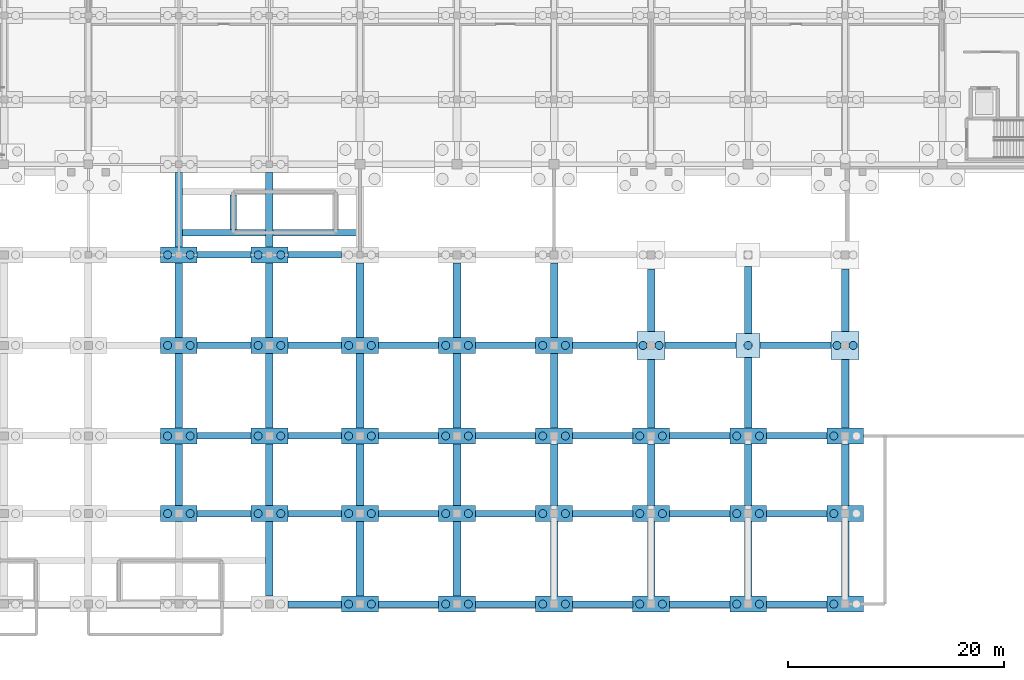
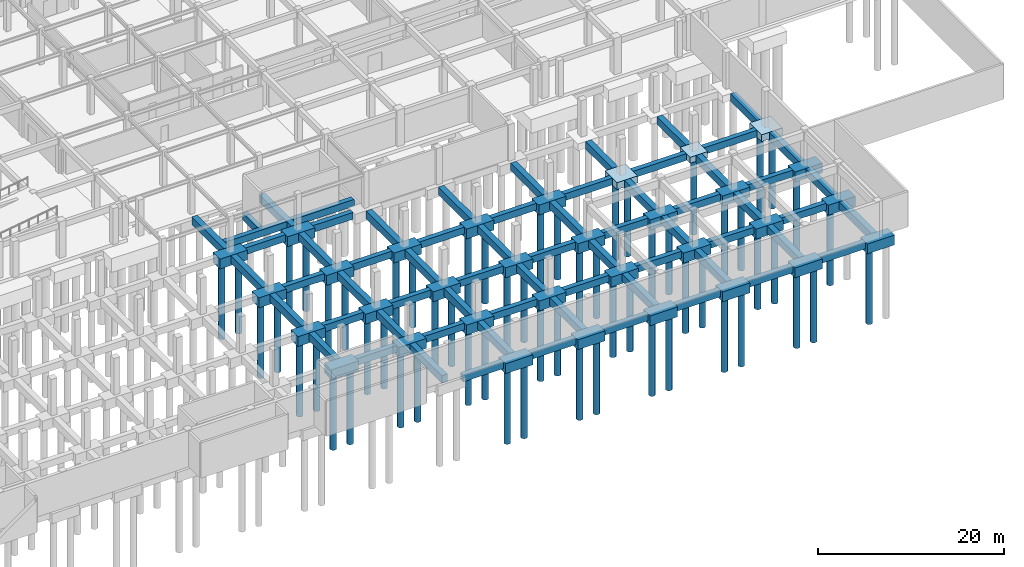
# One storey, part 3 of 26: 97 footings, 60 piles.
"""IFC4 building model written with IfcOpenShell, lengths in metres."""

import ifcopenshell
import ifcopenshell.guid

model = None  # the IFC model being written
_history = None  # IfcOwnerHistory: only IFC2X3 demands one
_inside = {}  # id of a spatial element -> (the spatial element, [elements in it])
_under = {}  # id of a project, library or spatial element -> (it, [spatial elements below it])
_declared = {}  # id of a project -> (the project, [libraries it declares])
_typed = {}  # id of a type object -> (the type object, [elements of that type])
_made_of = {}  # id of a material, layer set ... -> (it, [elements and type objects made of it])


def new_model(schema):
    """Start an empty IFC model of exactly this schema.

    Asked for "IFC4X3", IfcOpenShell would pick the latest addendum, in which some entities
    have other attributes; the version numbers below select the first issue.
    IFC2X3 requires an IfcOwnerHistory on every rooted entity: one is made here for all.
    """
    global model, _history
    if schema == "IFC4X3":
        model = ifcopenshell.file(schema_version=(4, 3, 0, 0))
    else:
        model = ifcopenshell.file(schema=schema)
    _inside.clear()
    _under.clear()
    _declared.clear()
    _typed.clear()
    _made_of.clear()
    _history = None
    if model.schema == "IFC2X3":
        org = make("IfcOrganization", Name="unknown")
        user = make(
            "IfcPersonAndOrganization",
            ThePerson=make("IfcPerson", FamilyName="unknown"),
            TheOrganization=org,
        )
        app = make(
            "IfcApplication",
            ApplicationDeveloper=org,
            Version="unknown",
            ApplicationFullName="unknown",
            ApplicationIdentifier="unknown",
        )
        _history = make(
            "IfcOwnerHistory",
            OwningUser=user,
            OwningApplication=app,
            ChangeAction="ADDED",
            CreationDate=0,
        )
    return model


def make(cls, **values):
    """One entity of the class cls with the attributes given. An attribute that is None is left unset."""
    return model.create_entity(
        cls, **{name: value for name, value in values.items() if value is not None}
    )


def rooted(cls, **values):
    """An entity with a GlobalId (a new one), such as an element, a storey or a relation."""
    return make(cls, GlobalId=ifcopenshell.guid.new(), OwnerHistory=_history, **values)


def si_unit(unit_type, name, prefix=None):
    """IfcSIUnit, for example si_unit("LENGTHUNIT", "METRE", prefix="MILLI")."""
    return make("IfcSIUnit", UnitType=unit_type, Prefix=prefix, Name=name)


def assignment(units):
    """IfcUnitAssignment: the units of a project."""
    return None if units is None else make("IfcUnitAssignment", Units=units)


def point(xyz):
    """IfcCartesianPoint."""
    return None if xyz is None else make("IfcCartesianPoint", Coordinates=xyz)


def direction(xyz):
    """IfcDirection."""
    return None if xyz is None else make("IfcDirection", DirectionRatios=xyz)


def frame(location, z_axis=None, x_axis=None):
    """IfcAxis2Placement3D, a coordinate frame: its origin and axes. An axis left out is left unset."""
    return make(
        "IfcAxis2Placement3D",
        Location=point(location),
        Axis=direction(z_axis),
        RefDirection=direction(x_axis),
    )


def frame_2d(location, x_axis=None):
    """IfcAxis2Placement2D, a coordinate frame in the plane: its origin and x axis."""
    return make(
        "IfcAxis2Placement2D", Location=point(location), RefDirection=direction(x_axis)
    )


def origin():
    """The frame at (0, 0, 0) with its axes left unset."""
    return frame((0.0, 0.0, 0.0))


def origin_2d():
    """The frame at (0, 0) in the plane with its x axis left unset."""
    return frame_2d((0.0, 0.0))


def place(relative_to, where):
    """IfcLocalPlacement: puts the frame where relative to a parent placement (None: the world)."""
    return make(
        "IfcLocalPlacement", PlacementRelTo=relative_to, RelativePlacement=where
    )


def context(
    kind, dimensions, precision=None, world=None, true_north=None, identifier=None
):
    """IfcGeometricRepresentationContext, for example the 3D "Model" context."""
    return make(
        "IfcGeometricRepresentationContext",
        ContextIdentifier=identifier,
        ContextType=kind,
        CoordinateSpaceDimension=dimensions,
        Precision=precision,
        WorldCoordinateSystem=world,
        TrueNorth=true_north,
    )


def subcontext(parent, identifier, kind, view, scale=None):
    """IfcGeometricRepresentationSubContext, for example "Body" below "Model"."""
    return make(
        "IfcGeometricRepresentationSubContext",
        ContextIdentifier=identifier,
        ContextType=kind,
        ParentContext=parent,
        TargetScale=scale,
        TargetView=view,
    )


def project(units=None, contexts=None):
    """IfcProject with its units and contexts."""
    return rooted(
        "IfcProject",
        Name="project",
        RepresentationContexts=contexts,
        UnitsInContext=assignment(units),
    )


def spatial(cls, under=None, at=None, **own):
    """A site, building, storey or space (cls), placed at a placement, below another one or the project."""
    s = rooted(cls, ObjectPlacement=at, **own)
    if under is not None:
        _under.setdefault(under.id(), (under, []))[1].append(s)
    return s


def profile(cls, at=None, kind="AREA", **sizes):
    """A parametric profile (cls). Its sizes go by their IFC names, for example OverallWidth=200.0."""
    return make(cls, ProfileType=kind, Position=at, **sizes)


def rectangle(**sizes):
    """IfcRectangleProfileDef."""
    return profile("IfcRectangleProfileDef", **sizes)


def circle(**sizes):
    """IfcCircleProfileDef."""
    return profile("IfcCircleProfileDef", **sizes)


def extrude(swept, where, along, depth):
    """IfcExtrudedAreaSolid: the profile swept, set in the frame where, extruded along a direction by depth."""
    return make(
        "IfcExtrudedAreaSolid",
        SweptArea=swept,
        Position=where,
        ExtrudedDirection=direction(along),
        Depth=depth,
    )


def shape(context_of_items, identifier, shape_type, items):
    """IfcShapeRepresentation: the items that make up one representation, for example the "Body"."""
    return make(
        "IfcShapeRepresentation",
        ContextOfItems=context_of_items,
        RepresentationIdentifier=identifier,
        RepresentationType=shape_type,
        Items=items,
    )


def material(Name=None, Category=None):
    """IfcMaterial."""
    return make("IfcMaterial", Name=Name, Category=Category)


def material_profile(
    of_material, cross_section, Name=None, Category=None, Priority=None
):
    """IfcMaterialProfile: a cross section and its material."""
    return make(
        "IfcMaterialProfile",
        Name=Name,
        Material=of_material,
        Profile=cross_section,
        Priority=Priority,
        Category=Category,
    )


def profile_set(profiles, Name=None, composite=None):
    """IfcMaterialProfileSet."""
    return make(
        "IfcMaterialProfileSet",
        Name=Name,
        MaterialProfiles=profiles,
        CompositeProfile=composite,
    )


def made_of(thing, what):
    """Note that an element or type object is made of a material, layer set ...; save() writes the relation."""
    if what is not None:
        _made_of.setdefault(what.id(), (what, []))[1].append(thing)
    return thing


def type_object(cls, material=None, **own):
    """A type object (cls), such as IfcWallType, which elements share."""
    return made_of(rooted(cls, **own), material)


def element(
    cls,
    number,
    at=None,
    inside=None,
    cuts=None,
    type_object=None,
    material=None,
    context=None,
    identifier="Body",
    shape_type=None,
    held_by="IfcProductDefinitionShape",
    body=None,
    shapes=None,
    **own,
):
    """One element of the class cls, such as IfcWall. Its Tag is "e" and its number.

    at: its placement. inside: the storey or other place that contains it. cuts: it is an
    opening in that element (IfcRelVoidsElement). A single representation is given by context,
    identifier, shape_type and body (its items); several are given by shapes. held_by: the class
    of the entity that holds the representations. save() writes the other relations.
    """
    e = rooted(cls, Tag="e%d" % number, ObjectPlacement=at, **own)
    if body is not None:
        shapes = [shape(context, identifier, shape_type, body)]
    if shapes is not None:
        e.Representation = make(held_by, Representations=shapes)
    if inside is not None:
        _inside.setdefault(inside.id(), (inside, []))[1].append(e)
    if cuts is not None:
        rooted(
            "IfcRelVoidsElement", RelatingBuildingElement=cuts, RelatedOpeningElement=e
        )
    if type_object is not None:
        _typed.setdefault(type_object.id(), (type_object, []))[1].append(e)
    return made_of(e, material)


def aggregate(whole, parts):
    """IfcRelAggregates: a whole, such as a stair, and the parts it consists of."""
    return rooted("IfcRelAggregates", RelatingObject=whole, RelatedObjects=parts)


def save(model, path):
    """Write the relations noted so far, then the file.

    IfcRelAggregates (storeys below a building ...), IfcRelContainedInSpatialStructure (elements
    in a storey), IfcRelDefinesByType, IfcRelAssociatesMaterial and IfcRelDeclares: one each for
    every whole, place, type object, material and project.
    """
    for whole, parts in _under.values():
        aggregate(whole, parts)
    for where, things in _inside.values():
        rooted(
            "IfcRelContainedInSpatialStructure",
            RelatedElements=things,
            RelatingStructure=where,
        )
    for kind, things in _typed.values():
        rooted("IfcRelDefinesByType", RelatedObjects=things, RelatingType=kind)
    for what, things in _made_of.values():
        rooted("IfcRelAssociatesMaterial", RelatedObjects=things, RelatingMaterial=what)
    for by, libraries in _declared.values():
        rooted("IfcRelDeclares", RelatingContext=by, RelatedDefinitions=libraries)
    model.write(path)


model = new_model("IFC4")

# Units and contexts
model_context = context("Model", 3, precision=1e-05, world=origin(), true_north=direction((0.0, 1.0)))
body_context = subcontext(model_context, "Body", "Model", "MODEL_VIEW")
ifc_project = project(units=[si_unit("LENGTHUNIT", "METRE"), si_unit("AREAUNIT", "SQUARE_METRE"), si_unit("VOLUMEUNIT", "CUBIC_METRE"), si_unit("PLANEANGLEUNIT", "RADIAN"), si_unit("MASSUNIT", "GRAM", prefix="KILO")], contexts=[model_context])

# Site, building, storey
site_placement = place(None, origin())
site = spatial("IfcSite", under=ifc_project, at=site_placement, CompositionType="ELEMENT")
building_placement = place(site_placement, origin())
building = spatial("IfcBuilding", under=site, at=building_placement, Name="Tizgana Railside Sports Hall", CompositionType="ELEMENT")
storey_placement = place(building_placement, frame((0.0, 0.0, -4.800048828125)))
storey = spatial("IfcBuildingStorey", under=building, at=storey_placement, Name="B1", CompositionType="ELEMENT", Elevation=-4.800048828125)

# Footings
ifc_material = material(Name="Concrete C35/45", Category="concrete")
footing_type_1 = type_object("IfcFootingType", Name="Arcade Pad Footing 2600x2600x900", PredefinedType="PAD_FOOTING", material=ifc_material)
for number, where, z_axis, x_axis, name in (
    (1, (106.800048828125, 24.0, -0.89990234375), (0.0, 0.0, 1.0), (1.0, 0.0, 0.0), "B1 FTG-0163"),
    (2, (124.800048828125, 24.0, -0.89990234375), (0.0, 0.0, 1.0), (1.0, 0.0, 0.0), "B1 FTG-0187"),
):
    element("IfcFooting", number, at=place(storey_placement, frame(where, z_axis=z_axis, x_axis=x_axis)), inside=storey, type_object=footing_type_1, Name=name, PredefinedType="PAD_FOOTING", context=body_context, shape_type="SweptSolid", body=[
        extrude(rectangle(XDim=2.60009765625, YDim=2.60009765625, at=origin_2d()), origin(), (0.0, 0.0, 1.0), 0.89990234375),
    ])

# Piles
ifc_material_profile = material_profile(ifc_material, circle(Radius=0.375, at=origin_2d()), Name="PILE D750")
ifc_profile_set = profile_set([ifc_material_profile], Name="Concrete C35/45")
pile_type = type_object("IfcPileType", Name="Bored Pile D750", PredefinedType="BORED", material=ifc_profile_set)
for number, where, z_axis, x_axis, name in (
    (3, (61.949951171875, 8.39990234375, -1.199951171875), (0.0, 0.0, -1.0), (1.0, 0.0, 0.0), "B1 PIL-0245"),
    (4, (64.050048828125, 8.39990234375, -1.199951171875), (0.0, 0.0, -1.0), (1.0, 0.0, 0.0), "B1 PIL-0246"),
    (5, (61.949951171875, 15.60009765625, -1.199951171875), (0.0, 0.0, -1.0), (1.0, 0.0, 0.0), "B1 PIL-0247"),
    (6, (64.050048828125, 15.60009765625, -1.199951171875), (0.0, 0.0, -1.0), (1.0, 0.0, 0.0), "B1 PIL-0248"),
    (7, (61.949951171875, 24.0, -1.199951171875), (0.0, 0.0, -1.0), (1.0, 0.0, 0.0), "B1 PIL-0249"),
    (8, (64.050048828125, 24.0, -1.199951171875), (0.0, 0.0, -1.0), (1.0, 0.0, 0.0), "B1 PIL-0250"),
    (9, (61.949951171875, 32.39990234375, -1.199951171875), (0.0, 0.0, -1.0), (1.0, 0.0, 0.0), "B1 PIL-0251"),
    (10, (64.050048828125, 32.39990234375, -1.199951171875), (0.0, 0.0, -1.0), (1.0, 0.0, 0.0), "B1 PIL-0252"),
    (11, (70.35009765625, 8.39990234375, -1.199951171875), (0.0, 0.0, -1.0), (1.0, 0.0, 0.0), "B1 PIL-0271"),
    (12, (72.449951171875, 8.39990234375, -1.199951171875), (0.0, 0.0, -1.0), (1.0, 0.0, 0.0), "B1 PIL-0272"),
    (13, (70.35009765625, 15.60009765625, -1.199951171875), (0.0, 0.0, -1.0), (1.0, 0.0, 0.0), "B1 PIL-0273"),
    (14, (72.449951171875, 15.60009765625, -1.199951171875), (0.0, 0.0, -1.0), (1.0, 0.0, 0.0), "B1 PIL-0274"),
    (15, (70.35009765625, 24.0, -1.199951171875), (0.0, 0.0, -1.0), (1.0, 0.0, 0.0), "B1 PIL-0275"),
    (16, (72.449951171875, 24.0, -1.199951171875), (0.0, 0.0, -1.0), (1.0, 0.0, 0.0), "B1 PIL-0276"),
    (17, (70.35009765625, 32.39990234375, -1.199951171875), (0.0, 0.0, -1.0), (1.0, 0.0, 0.0), "B1 PIL-0277"),
    (18, (72.449951171875, 32.39990234375, -1.199951171875), (0.0, 0.0, -1.0), (1.0, 0.0, 0.0), "B1 PIL-0278"),
    (19, (78.75, 0.0, -1.199951171875), (0.0, 0.0, -1.0), (1.0, 0.0, 0.0), "B1 PIL-0295"),
    (20, (80.85009765625, 0.0, -1.199951171875), (0.0, 0.0, -1.0), (1.0, 0.0, 0.0), "B1 PIL-0296"),
    (21, (78.75, 8.39990234375, -1.199951171875), (0.0, 0.0, -1.0), (1.0, 0.0, 0.0), "B1 PIL-0297"),
    (22, (80.85009765625, 8.39990234375, -1.199951171875), (0.0, 0.0, -1.0), (1.0, 0.0, 0.0), "B1 PIL-0298"),
    (23, (78.75, 15.60009765625, -1.199951171875), (0.0, 0.0, -1.0), (1.0, 0.0, 0.0), "B1 PIL-0299"),
    (24, (80.85009765625, 15.60009765625, -1.199951171875), (0.0, 0.0, -1.0), (1.0, 0.0, 0.0), "B1 PIL-0300"),
    (25, (78.75, 24.0, -1.199951171875), (0.0, 0.0, -1.0), (1.0, 0.0, 0.0), "B1 PIL-0301"),
    (26, (80.85009765625, 24.0, -1.199951171875), (0.0, 0.0, -1.0), (1.0, 0.0, 0.0), "B1 PIL-0302"),
    (27, (87.75, 0.0, -1.199951171875), (0.0, 0.0, -1.0), (1.0, 0.0, 0.0), "B1 PIL-0325"),
    (28, (89.85009765625, 0.0, -1.199951171875), (0.0, 0.0, -1.0), (1.0, 0.0, 0.0), "B1 PIL-0326"),
    (29, (87.75, 8.39990234375, -1.199951171875), (0.0, 0.0, -1.0), (1.0, 0.0, 0.0), "B1 PIL-0327"),
    (30, (89.85009765625, 8.39990234375, -1.199951171875), (0.0, 0.0, -1.0), (1.0, 0.0, 0.0), "B1 PIL-0328"),
    (31, (87.75, 15.60009765625, -1.199951171875), (0.0, 0.0, -1.0), (1.0, 0.0, 0.0), "B1 PIL-0329"),
    (32, (89.85009765625, 15.60009765625, -1.199951171875), (0.0, 0.0, -1.0), (1.0, 0.0, 0.0), "B1 PIL-0330"),
    (33, (87.75, 24.0, -1.199951171875), (0.0, 0.0, -1.0), (1.0, 0.0, 0.0), "B1 PIL-0331"),
    (34, (89.85009765625, 24.0, -1.199951171875), (0.0, 0.0, -1.0), (1.0, 0.0, 0.0), "B1 PIL-0332"),
    (35, (96.75, 0.0, -1.199951171875), (0.0, 0.0, -1.0), (1.0, 0.0, 0.0), "B1 PIL-0353"),
    (36, (98.85009765625, 0.0, -1.199951171875), (0.0, 0.0, -1.0), (1.0, 0.0, 0.0), "B1 PIL-0354"),
    (37, (96.75, 8.39990234375, -1.199951171875), (0.0, 0.0, -1.0), (1.0, 0.0, 0.0), "B1 PIL-0355"),
    (38, (98.85009765625, 8.39990234375, -1.199951171875), (0.0, 0.0, -1.0), (1.0, 0.0, 0.0), "B1 PIL-0356"),
    (39, (96.75, 15.60009765625, -1.199951171875), (0.0, 0.0, -1.0), (1.0, 0.0, 0.0), "B1 PIL-0357"),
    (40, (98.85009765625, 15.60009765625, -1.199951171875), (0.0, 0.0, -1.0), (1.0, 0.0, 0.0), "B1 PIL-0358"),
    (41, (96.75, 24.0, -1.199951171875), (0.0, 0.0, -1.0), (1.0, 0.0, 0.0), "B1 PIL-0359"),
    (42, (98.85009765625, 24.0, -1.199951171875), (0.0, 0.0, -1.0), (1.0, 0.0, 0.0), "B1 PIL-0360"),
    (43, (105.75, 0.0, -1.199951171875), (0.0, 0.0, -1.0), (1.0, 0.0, 0.0), "B1 PIL-0387"),
    (44, (107.85009765625, 0.0, -1.199951171875), (0.0, 0.0, -1.0), (1.0, 0.0, 0.0), "B1 PIL-0388"),
    (45, (105.75, 8.39990234375, -1.199951171875), (0.0, 0.0, -1.0), (1.0, 0.0, 0.0), "B1 PIL-0389"),
    (46, (107.85009765625, 8.39990234375, -1.199951171875), (0.0, 0.0, -1.0), (1.0, 0.0, 0.0), "B1 PIL-0390"),
    (47, (105.75, 15.60009765625, -1.199951171875), (0.0, 0.0, -1.0), (1.0, 0.0, 0.0), "B1 PIL-0391"),
    (48, (107.85009765625, 15.60009765625, -1.199951171875), (0.0, 0.0, -1.0), (1.0, 0.0, 0.0), "B1 PIL-0392"),
):
    element("IfcPile", number, at=place(storey_placement, frame(where, z_axis=z_axis, x_axis=x_axis)), inside=storey, type_object=pile_type, Name=name, PredefinedType="BORED", context=body_context, shape_type="SweptSolid", body=[
        extrude(circle(Radius=0.375, at=origin_2d()), origin(), (0.0, 0.0, 1.0), 9.800048828125),
    ])
for number, where, z_axis, x_axis, name in (
    (49, (106.050048828125, 24.0, -0.800048828125), (0.0, 0.0, -1.0), (1.0, 0.0, 0.0), "B1 PIL-0393"),
    (50, (107.550048828125, 24.0, -0.800048828125), (0.0, 0.0, -1.0), (1.0, 0.0, 0.0), "B1 PIL-0394"),
):
    element("IfcPile", number, at=place(storey_placement, frame(where, z_axis=z_axis, x_axis=x_axis)), inside=storey, type_object=pile_type, Name=name, PredefinedType="BORED", context=body_context, shape_type="SweptSolid", body=[
        extrude(circle(Radius=0.375, at=origin_2d()), origin(), (0.0, 0.0, 1.0), 10.199951171875),
    ])
for number, where, z_axis, x_axis, name in (
    (51, (114.75, 0.0, -1.199951171875), (0.0, 0.0, -1.0), (1.0, 0.0, 0.0), "B1 PIL-0411"),
    (52, (116.85009765625, 0.0, -1.199951171875), (0.0, 0.0, -1.0), (1.0, 0.0, 0.0), "B1 PIL-0412"),
    (53, (114.75, 8.39990234375, -1.199951171875), (0.0, 0.0, -1.0), (1.0, 0.0, 0.0), "B1 PIL-0413"),
    (54, (116.85009765625, 8.39990234375, -1.199951171875), (0.0, 0.0, -1.0), (1.0, 0.0, 0.0), "B1 PIL-0414"),
    (55, (114.75, 15.60009765625, -1.199951171875), (0.0, 0.0, -1.0), (1.0, 0.0, 0.0), "B1 PIL-0415"),
    (56, (116.85009765625, 15.60009765625, -1.199951171875), (0.0, 0.0, -1.0), (1.0, 0.0, 0.0), "B1 PIL-0416"),
):
    element("IfcPile", number, at=place(storey_placement, frame(where, z_axis=z_axis, x_axis=x_axis)), inside=storey, type_object=pile_type, Name=name, PredefinedType="BORED", context=body_context, shape_type="SweptSolid", body=[
        extrude(circle(Radius=0.375, at=origin_2d()), origin(), (0.0, 0.0, 1.0), 9.800048828125),
    ])
pile_placement = place(storey_placement, frame((115.800048828125, 24.0, -0.699951171875), z_axis=(0.0, 0.0, -1.0), x_axis=(1.0, 0.0, 0.0)))
element("IfcPile", 57, at=pile_placement, inside=storey, type_object=pile_type, Name="B1 PIL-0417", PredefinedType="BORED", context=body_context, shape_type="SweptSolid", body=[
    extrude(circle(Radius=0.375, at=origin_2d()), origin(), (0.0, 0.0, 1.0), 10.300048828125),
])
for number, where, z_axis, x_axis, name in (
    (58, (123.75, 0.0, -1.199951171875), (0.0, 0.0, -1.0), (1.0, 0.0, 0.0), "B1 PIL-0443"),
    (59, (123.75, 8.39990234375, -1.199951171875), (0.0, 0.0, -1.0), (1.0, 0.0, 0.0), "B1 PIL-0445"),
    (60, (123.75, 15.60009765625, -1.199951171875), (0.0, 0.0, -1.0), (1.0, 0.0, 0.0), "B1 PIL-0447"),
):
    element("IfcPile", number, at=place(storey_placement, frame(where, z_axis=z_axis, x_axis=x_axis)), inside=storey, type_object=pile_type, Name=name, PredefinedType="BORED", context=body_context, shape_type="SweptSolid", body=[
        extrude(circle(Radius=0.375, at=origin_2d()), origin(), (0.0, 0.0, 1.0), 9.800048828125),
    ])
for number, where, z_axis, x_axis, name in (
    (61, (124.050048828125, 24.0, -0.800048828125), (0.0, 0.0, -1.0), (1.0, 0.0, 0.0), "B1 PIL-0449"),
    (62, (125.550048828125, 24.0, -0.800048828125), (0.0, 0.0, -1.0), (1.0, 0.0, 0.0), "B1 PIL-0450"),
):
    element("IfcPile", number, at=place(storey_placement, frame(where, z_axis=z_axis, x_axis=x_axis)), inside=storey, type_object=pile_type, Name=name, PredefinedType="BORED", context=body_context, shape_type="SweptSolid", body=[
        extrude(circle(Radius=0.375, at=origin_2d()), origin(), (0.0, 0.0, 1.0), 10.199951171875),
    ])

# Footings
footing_type_2 = type_object("IfcFootingType", Name="Canopy Pad Footing 2200x2200x800", PredefinedType="PAD_FOOTING", material=ifc_material)
footing_1_placement = place(storey_placement, frame((115.800048828125, 24.0, -0.7998046875), z_axis=(0.0, 0.0, 1.0), x_axis=(1.0, 0.0, 0.0)))
element("IfcFooting", 63, at=footing_1_placement, inside=storey, type_object=footing_type_2, Name="B1 FTG-0174", PredefinedType="PAD_FOOTING", context=body_context, shape_type="SweptSolid", body=[
    extrude(rectangle(XDim=2.199951171875, YDim=2.199951171875, at=origin_2d()), origin(), (0.0, 0.0, 1.0), 0.800048828125),
])
footing_type_3 = type_object("IfcFootingType", Name="Ground Tie Beam 600x900", PredefinedType="FOOTING_BEAM", material=ifc_material)
footing_2_placement = place(storey_placement, frame((75.60009765625, 0.0, -0.89990234375), z_axis=(0.0, 0.0, 1.0), x_axis=(1.0, 0.0, 0.0)))
element("IfcFooting", 64, at=footing_2_placement, inside=storey, type_object=footing_type_3, Name="B1 FTG-0243", PredefinedType="FOOTING_BEAM", context=body_context, shape_type="SweptSolid", body=[
    extrude(rectangle(XDim=5.00390625, YDim=0.60009765625, at=origin_2d()), origin(), (0.0, 0.0, 1.0), 0.89990234375),
])
for number, where, z_axis, x_axis, name in (
    (65, (84.300048828125, 0.0, -0.89990234375), (0.0, 0.0, 1.0), (1.0, 0.0, 0.0), "B1 FTG-0244"),
    (66, (93.300048828125, 0.0, -0.89990234375), (0.0, 0.0, 1.0), (1.0, 0.0, 0.0), "B1 FTG-0245"),
    (67, (102.300048828125, 0.0, -0.89990234375), (0.0, 0.0, 1.0), (1.0, 0.0, 0.0), "B1 FTG-0246"),
    (68, (111.300048828125, 0.0, -0.89990234375), (0.0, 0.0, 1.0), (1.0, 0.0, 0.0), "B1 FTG-0247"),
    (69, (120.300048828125, 0.0, -0.89990234375), (0.0, 0.0, 1.0), (1.0, 0.0, 0.0), "B1 FTG-0248"),
):
    element("IfcFooting", number, at=place(storey_placement, frame(where, z_axis=z_axis, x_axis=x_axis)), inside=storey, type_object=footing_type_3, Name=name, PredefinedType="FOOTING_BEAM", context=body_context, shape_type="SweptSolid", body=[
        extrude(rectangle(XDim=5.60400390625, YDim=0.60009765625, at=origin_2d()), origin(), (0.0, 0.0, 1.0), 0.89990234375),
    ])
for number, where, z_axis, x_axis, name in (
    (70, (67.199951171875, 8.39990234375, -0.89990234375), (0.0, 0.0, 1.0), (1.0, 0.0, 0.0), "B1 FTG-0256"),
    (71, (75.60009765625, 8.39990234375, -0.89990234375), (0.0, 0.0, 1.0), (1.0, 0.0, 0.0), "B1 FTG-0257"),
):
    element("IfcFooting", number, at=place(storey_placement, frame(where, z_axis=z_axis, x_axis=x_axis)), inside=storey, type_object=footing_type_3, Name=name, PredefinedType="FOOTING_BEAM", context=body_context, shape_type="SweptSolid", body=[
        extrude(rectangle(XDim=5.00390625, YDim=0.60009765625, at=origin_2d()), origin(), (0.0, 0.0, 1.0), 0.89990234375),
    ])
for number, where, z_axis, x_axis, name in (
    (72, (84.300048828125, 8.39990234375, -0.89990234375), (0.0, 0.0, 1.0), (1.0, 0.0, 0.0), "B1 FTG-0258"),
    (73, (93.300048828125, 8.39990234375, -0.89990234375), (0.0, 0.0, 1.0), (1.0, 0.0, 0.0), "B1 FTG-0259"),
    (74, (102.300048828125, 8.39990234375, -0.89990234375), (0.0, 0.0, 1.0), (1.0, 0.0, 0.0), "B1 FTG-0260"),
    (75, (111.300048828125, 8.39990234375, -0.89990234375), (0.0, 0.0, 1.0), (1.0, 0.0, 0.0), "B1 FTG-0261"),
    (76, (120.300048828125, 8.39990234375, -0.89990234375), (0.0, 0.0, 1.0), (1.0, 0.0, 0.0), "B1 FTG-0262"),
):
    element("IfcFooting", number, at=place(storey_placement, frame(where, z_axis=z_axis, x_axis=x_axis)), inside=storey, type_object=footing_type_3, Name=name, PredefinedType="FOOTING_BEAM", context=body_context, shape_type="SweptSolid", body=[
        extrude(rectangle(XDim=5.60400390625, YDim=0.60009765625, at=origin_2d()), origin(), (0.0, 0.0, 1.0), 0.89990234375),
    ])
for number, where, z_axis, x_axis, name in (
    (77, (67.199951171875, 15.60009765625, -0.89990234375), (0.0, 0.0, 1.0), (1.0, 0.0, 0.0), "B1 FTG-0270"),
    (78, (75.60009765625, 15.60009765625, -0.89990234375), (0.0, 0.0, 1.0), (1.0, 0.0, 0.0), "B1 FTG-0271"),
):
    element("IfcFooting", number, at=place(storey_placement, frame(where, z_axis=z_axis, x_axis=x_axis)), inside=storey, type_object=footing_type_3, Name=name, PredefinedType="FOOTING_BEAM", context=body_context, shape_type="SweptSolid", body=[
        extrude(rectangle(XDim=5.00390625, YDim=0.60009765625, at=origin_2d()), origin(), (0.0, 0.0, 1.0), 0.89990234375),
    ])
for number, where, z_axis, x_axis, name in (
    (79, (84.300048828125, 15.60009765625, -0.89990234375), (0.0, 0.0, 1.0), (1.0, 0.0, 0.0), "B1 FTG-0272"),
    (80, (93.300048828125, 15.60009765625, -0.89990234375), (0.0, 0.0, 1.0), (1.0, 0.0, 0.0), "B1 FTG-0273"),
    (81, (102.300048828125, 15.60009765625, -0.89990234375), (0.0, 0.0, 1.0), (1.0, 0.0, 0.0), "B1 FTG-0274"),
    (82, (111.300048828125, 15.60009765625, -0.89990234375), (0.0, 0.0, 1.0), (1.0, 0.0, 0.0), "B1 FTG-0275"),
    (83, (120.300048828125, 15.60009765625, -0.89990234375), (0.0, 0.0, 1.0), (1.0, 0.0, 0.0), "B1 FTG-0276"),
):
    element("IfcFooting", number, at=place(storey_placement, frame(where, z_axis=z_axis, x_axis=x_axis)), inside=storey, type_object=footing_type_3, Name=name, PredefinedType="FOOTING_BEAM", context=body_context, shape_type="SweptSolid", body=[
        extrude(rectangle(XDim=5.60400390625, YDim=0.60009765625, at=origin_2d()), origin(), (0.0, 0.0, 1.0), 0.89990234375),
    ])
for number, where, z_axis, x_axis, name in (
    (84, (67.199951171875, 24.0, -0.89990234375), (0.0, 0.0, 1.0), (1.0, 0.0, 0.0), "B1 FTG-0284"),
    (85, (75.60009765625, 24.0, -0.89990234375), (0.0, 0.0, 1.0), (1.0, 0.0, 0.0), "B1 FTG-0285"),
):
    element("IfcFooting", number, at=place(storey_placement, frame(where, z_axis=z_axis, x_axis=x_axis)), inside=storey, type_object=footing_type_3, Name=name, PredefinedType="FOOTING_BEAM", context=body_context, shape_type="SweptSolid", body=[
        extrude(rectangle(XDim=5.00390625, YDim=0.60009765625, at=origin_2d()), origin(), (0.0, 0.0, 1.0), 0.89990234375),
    ])
for number, where, z_axis, x_axis, name in (
    (86, (84.300048828125, 24.0, -0.89990234375), (0.0, 0.0, 1.0), (1.0, 0.0, 0.0), "B1 FTG-0286"),
    (87, (93.300048828125, 24.0, -0.89990234375), (0.0, 0.0, 1.0), (1.0, 0.0, 0.0), "B1 FTG-0287"),
):
    element("IfcFooting", number, at=place(storey_placement, frame(where, z_axis=z_axis, x_axis=x_axis)), inside=storey, type_object=footing_type_3, Name=name, PredefinedType="FOOTING_BEAM", context=body_context, shape_type="SweptSolid", body=[
        extrude(rectangle(XDim=5.60400390625, YDim=0.60009765625, at=origin_2d()), origin(), (0.0, 0.0, 1.0), 0.89990234375),
    ])
footing_3_placement = place(storey_placement, frame((102.5, 24.0, -0.89990234375), z_axis=(0.0, 0.0, 1.0), x_axis=(1.0, 0.0, 0.0)))
element("IfcFooting", 88, at=footing_3_placement, inside=storey, type_object=footing_type_3, Name="B1 FTG-0288", PredefinedType="FOOTING_BEAM", context=body_context, shape_type="SweptSolid", body=[
    extrude(rectangle(XDim=6.00390625, YDim=0.60009765625, at=origin_2d()), origin(), (0.0, 0.0, 1.0), 0.89990234375),
])
for number, where, z_axis, x_axis, name in (
    (89, (111.39990234375, 24.0, -0.89990234375), (0.0, 0.0, 1.0), (1.0, 0.0, 0.0), "B1 FTG-0289"),
    (90, (120.199951171875, 24.0, -0.89990234375), (0.0, 0.0, 1.0), (1.0, 0.0, 0.0), "B1 FTG-0290"),
):
    element("IfcFooting", number, at=place(storey_placement, frame(where, z_axis=z_axis, x_axis=x_axis)), inside=storey, type_object=footing_type_3, Name=name, PredefinedType="FOOTING_BEAM", context=body_context, shape_type="SweptSolid", body=[
        extrude(rectangle(XDim=6.60400390625, YDim=0.60009765625, at=origin_2d()), origin(), (0.0, 0.0, 1.0), 0.89990234375),
    ])
for number, where, z_axis, x_axis, name in (
    (91, (67.199951171875, 32.39990234375, -0.89990234375), (0.0, 0.0, 1.0), (1.0, 0.0, 0.0), "B1 FTG-0298"),
    (92, (75.60009765625, 32.39990234375, -0.89990234375), (0.0, 0.0, 1.0), (1.0, 0.0, 0.0), "B1 FTG-0299"),
):
    element("IfcFooting", number, at=place(storey_placement, frame(where, z_axis=z_axis, x_axis=x_axis)), inside=storey, type_object=footing_type_3, Name=name, PredefinedType="FOOTING_BEAM", context=body_context, shape_type="SweptSolid", body=[
        extrude(rectangle(XDim=5.00390625, YDim=0.60009765625, at=origin_2d()), origin(), (0.0, 0.0, 1.0), 0.89990234375),
    ])
for number, where, z_axis, x_axis, name in (
    (93, (67.199951171875, 34.449951171875, -0.89990234375), (0.0, 0.0, 1.0), (1.0, 0.0, 0.0), "B1 FTG-0637"),
    (94, (75.60009765625, 34.449951171875, -0.89990234375), (0.0, 0.0, 1.0), (1.0, 0.0, 0.0), "B1 FTG-0638"),
):
    element("IfcFooting", number, at=place(storey_placement, frame(where, z_axis=z_axis, x_axis=x_axis)), inside=storey, type_object=footing_type_3, Name=name, PredefinedType="FOOTING_BEAM", context=body_context, shape_type="SweptSolid", body=[
        extrude(rectangle(XDim=7.7041015625, YDim=0.60009765625, at=origin_2d()), origin(), (0.0, 0.0, 1.0), 0.89990234375),
    ])
footing_4_placement = place(storey_placement, frame((68.050048828125, 36.35009765625, -0.89990234375), z_axis=(0.0, 0.0, 1.0), x_axis=(0.0, 1.0, 0.0)))
element("IfcFooting", 95, at=footing_4_placement, inside=storey, type_object=footing_type_3, Name="B1 FTG-0651", PredefinedType="FOOTING_BEAM", context=body_context, shape_type="SweptSolid", body=[
    extrude(rectangle(XDim=3.2041015625, YDim=0.60009765625, at=origin_2d()), origin(), (0.0, 0.0, 1.0), 0.89990234375),
])
footing_type_4 = type_object("IfcFootingType", Name="Perimeter Ground Beam 700x1000", PredefinedType="FOOTING_BEAM", material=ifc_material)
footing_5_placement = place(storey_placement, frame((63.0, 12.0, -1.0), z_axis=(0.0, 0.0, 1.0), x_axis=(0.0, 1.0, 0.0)))
element("IfcFooting", 96, at=footing_5_placement, inside=storey, type_object=footing_type_4, Name="B1 FTG-0519", PredefinedType="FOOTING_BEAM", context=body_context, shape_type="SweptSolid", body=[
    extrude(rectangle(XDim=5.7041015625, YDim=0.699951171875, at=origin_2d()), origin(), (0.0, 0.0, 1.0), 1.0),
])
for number, where, z_axis, x_axis, name in (
    (97, (63.0, 19.800048828125, -1.0), (0.0, 0.0, 1.0), (0.0, 1.0, 0.0), "B1 FTG-0520"),
    (98, (63.0, 28.199951171875, -1.0), (0.0, 0.0, 1.0), (0.0, 1.0, 0.0), "B1 FTG-0521"),
    (99, (63.0, 36.60009765625, -1.0), (0.0, 0.0, 1.0), (0.0, 1.0, 0.0), "B1 FTG-0522"),
    (100, (71.39990234375, 4.199951171875, -1.0), (0.0, 0.0, 1.0), (0.0, 1.0, 0.0), "B1 FTG-0529"),
):
    element("IfcFooting", number, at=place(storey_placement, frame(where, z_axis=z_axis, x_axis=x_axis)), inside=storey, type_object=footing_type_4, Name=name, PredefinedType="FOOTING_BEAM", context=body_context, shape_type="SweptSolid", body=[
        extrude(rectangle(XDim=6.904052734375, YDim=0.699951171875, at=origin_2d()), origin(), (0.0, 0.0, 1.0), 1.0),
    ])
footing_6_placement = place(storey_placement, frame((71.39990234375, 12.0, -1.0), z_axis=(0.0, 0.0, 1.0), x_axis=(0.0, 1.0, 0.0)))
element("IfcFooting", 101, at=footing_6_placement, inside=storey, type_object=footing_type_4, Name="B1 FTG-0530", PredefinedType="FOOTING_BEAM", context=body_context, shape_type="SweptSolid", body=[
    extrude(rectangle(XDim=5.7041015625, YDim=0.699951171875, at=origin_2d()), origin(), (0.0, 0.0, 1.0), 1.0),
])
for number, where, z_axis, x_axis, name in (
    (102, (71.39990234375, 19.800048828125, -1.0), (0.0, 0.0, 1.0), (0.0, 1.0, 0.0), "B1 FTG-0531"),
    (103, (71.39990234375, 28.199951171875, -1.0), (0.0, 0.0, 1.0), (0.0, 1.0, 0.0), "B1 FTG-0532"),
    (104, (71.39990234375, 36.60009765625, -1.0), (0.0, 0.0, 1.0), (0.0, 1.0, 0.0), "B1 FTG-0533"),
    (105, (79.800048828125, 4.199951171875, -1.0), (0.0, 0.0, 1.0), (0.0, 1.0, 0.0), "B1 FTG-0540"),
):
    element("IfcFooting", number, at=place(storey_placement, frame(where, z_axis=z_axis, x_axis=x_axis)), inside=storey, type_object=footing_type_4, Name=name, PredefinedType="FOOTING_BEAM", context=body_context, shape_type="SweptSolid", body=[
        extrude(rectangle(XDim=6.904052734375, YDim=0.699951171875, at=origin_2d()), origin(), (0.0, 0.0, 1.0), 1.0),
    ])
footing_7_placement = place(storey_placement, frame((79.800048828125, 12.0, -1.0), z_axis=(0.0, 0.0, 1.0), x_axis=(0.0, 1.0, 0.0)))
element("IfcFooting", 106, at=footing_7_placement, inside=storey, type_object=footing_type_4, Name="B1 FTG-0541", PredefinedType="FOOTING_BEAM", context=body_context, shape_type="SweptSolid", body=[
    extrude(rectangle(XDim=5.7041015625, YDim=0.699951171875, at=origin_2d()), origin(), (0.0, 0.0, 1.0), 1.0),
])
for number, where, z_axis, x_axis, name in (
    (107, (79.800048828125, 19.800048828125, -1.0), (0.0, 0.0, 1.0), (0.0, 1.0, 0.0), "B1 FTG-0542"),
    (108, (79.800048828125, 28.199951171875, -1.0), (0.0, 0.0, 1.0), (0.0, 1.0, 0.0), "B1 FTG-0543"),
    (109, (88.800048828125, 4.199951171875, -1.0), (0.0, 0.0, 1.0), (0.0, 1.0, 0.0), "B1 FTG-0552"),
):
    element("IfcFooting", number, at=place(storey_placement, frame(where, z_axis=z_axis, x_axis=x_axis)), inside=storey, type_object=footing_type_4, Name=name, PredefinedType="FOOTING_BEAM", context=body_context, shape_type="SweptSolid", body=[
        extrude(rectangle(XDim=6.904052734375, YDim=0.699951171875, at=origin_2d()), origin(), (0.0, 0.0, 1.0), 1.0),
    ])
footing_8_placement = place(storey_placement, frame((88.800048828125, 12.0, -1.0), z_axis=(0.0, 0.0, 1.0), x_axis=(0.0, 1.0, 0.0)))
element("IfcFooting", 110, at=footing_8_placement, inside=storey, type_object=footing_type_4, Name="B1 FTG-0553", PredefinedType="FOOTING_BEAM", context=body_context, shape_type="SweptSolid", body=[
    extrude(rectangle(XDim=5.7041015625, YDim=0.699951171875, at=origin_2d()), origin(), (0.0, 0.0, 1.0), 1.0),
])
for number, where, z_axis, x_axis, name in (
    (111, (88.800048828125, 19.800048828125, -1.0), (0.0, 0.0, 1.0), (0.0, 1.0, 0.0), "B1 FTG-0554"),
    (112, (88.800048828125, 28.199951171875, -1.0), (0.0, 0.0, 1.0), (0.0, 1.0, 0.0), "B1 FTG-0555"),
    (113, (97.800048828125, 4.199951171875, -1.0), (0.0, 0.0, 1.0), (0.0, 1.0, 0.0), "B1 FTG-0562"),
):
    element("IfcFooting", number, at=place(storey_placement, frame(where, z_axis=z_axis, x_axis=x_axis)), inside=storey, type_object=footing_type_4, Name=name, PredefinedType="FOOTING_BEAM", context=body_context, shape_type="SweptSolid", body=[
        extrude(rectangle(XDim=6.904052734375, YDim=0.699951171875, at=origin_2d()), origin(), (0.0, 0.0, 1.0), 1.0),
    ])
footing_9_placement = place(storey_placement, frame((97.800048828125, 12.0, -1.0), z_axis=(0.0, 0.0, 1.0), x_axis=(0.0, 1.0, 0.0)))
element("IfcFooting", 114, at=footing_9_placement, inside=storey, type_object=footing_type_4, Name="B1 FTG-0563", PredefinedType="FOOTING_BEAM", context=body_context, shape_type="SweptSolid", body=[
    extrude(rectangle(XDim=5.7041015625, YDim=0.699951171875, at=origin_2d()), origin(), (0.0, 0.0, 1.0), 1.0),
])
for number, where, z_axis, x_axis, name in (
    (115, (97.800048828125, 19.800048828125, -1.0), (0.0, 0.0, 1.0), (0.0, 1.0, 0.0), "B1 FTG-0564"),
    (116, (97.800048828125, 28.199951171875, -1.0), (0.0, 0.0, 1.0), (0.0, 1.0, 0.0), "B1 FTG-0565"),
    (117, (106.800048828125, 4.199951171875, -1.0), (0.0, 0.0, 1.0), (0.0, 1.0, 0.0), "B1 FTG-0572"),
):
    element("IfcFooting", number, at=place(storey_placement, frame(where, z_axis=z_axis, x_axis=x_axis)), inside=storey, type_object=footing_type_4, Name=name, PredefinedType="FOOTING_BEAM", context=body_context, shape_type="SweptSolid", body=[
        extrude(rectangle(XDim=6.904052734375, YDim=0.699951171875, at=origin_2d()), origin(), (0.0, 0.0, 1.0), 1.0),
    ])
footing_10_placement = place(storey_placement, frame((106.800048828125, 12.0, -1.0), z_axis=(0.0, 0.0, 1.0), x_axis=(0.0, 1.0, 0.0)))
element("IfcFooting", 118, at=footing_10_placement, inside=storey, type_object=footing_type_4, Name="B1 FTG-0573", PredefinedType="FOOTING_BEAM", context=body_context, shape_type="SweptSolid", body=[
    extrude(rectangle(XDim=5.7041015625, YDim=0.699951171875, at=origin_2d()), origin(), (0.0, 0.0, 1.0), 1.0),
])
footing_11_placement = place(storey_placement, frame((106.800048828125, 19.52490234375, -1.0), z_axis=(0.0, 0.0, 1.0), x_axis=(0.0, 1.0, 0.0)))
element("IfcFooting", 119, at=footing_11_placement, inside=storey, type_object=footing_type_4, Name="B1 FTG-0574", PredefinedType="FOOTING_BEAM", context=body_context, shape_type="SweptSolid", body=[
    extrude(rectangle(XDim=6.35400390625, YDim=0.699951171875, at=origin_2d()), origin(), (0.0, 0.0, 1.0), 1.0),
])
footing_12_placement = place(storey_placement, frame((106.800048828125, 28.199951171875, -1.0), z_axis=(0.0, 0.0, 1.0), x_axis=(0.0, 1.0, 0.0)))
element("IfcFooting", 120, at=footing_12_placement, inside=storey, type_object=footing_type_4, Name="B1 FTG-0575", PredefinedType="FOOTING_BEAM", context=body_context, shape_type="SweptSolid", body=[
    extrude(rectangle(XDim=5.803955078125, YDim=0.699951171875, at=origin_2d()), origin(), (0.0, 0.0, 1.0), 1.0),
])
footing_13_placement = place(storey_placement, frame((115.800048828125, 4.199951171875, -1.0), z_axis=(0.0, 0.0, 1.0), x_axis=(0.0, 1.0, 0.0)))
element("IfcFooting", 121, at=footing_13_placement, inside=storey, type_object=footing_type_4, Name="B1 FTG-0582", PredefinedType="FOOTING_BEAM", context=body_context, shape_type="SweptSolid", body=[
    extrude(rectangle(XDim=6.904052734375, YDim=0.699951171875, at=origin_2d()), origin(), (0.0, 0.0, 1.0), 1.0),
])
footing_14_placement = place(storey_placement, frame((115.800048828125, 12.0, -1.0), z_axis=(0.0, 0.0, 1.0), x_axis=(0.0, 1.0, 0.0)))
element("IfcFooting", 122, at=footing_14_placement, inside=storey, type_object=footing_type_4, Name="B1 FTG-0583", PredefinedType="FOOTING_BEAM", context=body_context, shape_type="SweptSolid", body=[
    extrude(rectangle(XDim=5.7041015625, YDim=0.699951171875, at=origin_2d()), origin(), (0.0, 0.0, 1.0), 1.0),
])
footing_15_placement = place(storey_placement, frame((115.800048828125, 19.625, -1.0), z_axis=(0.0, 0.0, 1.0), x_axis=(0.0, 1.0, 0.0)))
element("IfcFooting", 123, at=footing_15_placement, inside=storey, type_object=footing_type_4, Name="B1 FTG-0584", PredefinedType="FOOTING_BEAM", context=body_context, shape_type="SweptSolid", body=[
    extrude(rectangle(XDim=6.553955078125, YDim=0.699951171875, at=origin_2d()), origin(), (0.0, 0.0, 1.0), 1.0),
])
footing_16_placement = place(storey_placement, frame((115.800048828125, 28.199951171875, -1.0), z_axis=(0.0, 0.0, 1.0), x_axis=(0.0, 1.0, 0.0)))
element("IfcFooting", 124, at=footing_16_placement, inside=storey, type_object=footing_type_4, Name="B1 FTG-0585", PredefinedType="FOOTING_BEAM", context=body_context, shape_type="SweptSolid", body=[
    extrude(rectangle(XDim=6.2041015625, YDim=0.699951171875, at=origin_2d()), origin(), (0.0, 0.0, 1.0), 1.0),
])
footing_17_placement = place(storey_placement, frame((124.800048828125, 4.199951171875, -1.0), z_axis=(0.0, 0.0, 1.0), x_axis=(0.0, 1.0, 0.0)))
element("IfcFooting", 125, at=footing_17_placement, inside=storey, type_object=footing_type_4, Name="B1 FTG-0592", PredefinedType="FOOTING_BEAM", context=body_context, shape_type="SweptSolid", body=[
    extrude(rectangle(XDim=6.904052734375, YDim=0.699951171875, at=origin_2d()), origin(), (0.0, 0.0, 1.0), 1.0),
])
footing_18_placement = place(storey_placement, frame((124.800048828125, 12.0, -1.0), z_axis=(0.0, 0.0, 1.0), x_axis=(0.0, 1.0, 0.0)))
element("IfcFooting", 126, at=footing_18_placement, inside=storey, type_object=footing_type_4, Name="B1 FTG-0593", PredefinedType="FOOTING_BEAM", context=body_context, shape_type="SweptSolid", body=[
    extrude(rectangle(XDim=5.7041015625, YDim=0.699951171875, at=origin_2d()), origin(), (0.0, 0.0, 1.0), 1.0),
])
footing_19_placement = place(storey_placement, frame((124.800048828125, 19.52490234375, -1.0), z_axis=(0.0, 0.0, 1.0), x_axis=(0.0, 1.0, 0.0)))
element("IfcFooting", 127, at=footing_19_placement, inside=storey, type_object=footing_type_4, Name="B1 FTG-0594", PredefinedType="FOOTING_BEAM", context=body_context, shape_type="SweptSolid", body=[
    extrude(rectangle(XDim=6.35400390625, YDim=0.699951171875, at=origin_2d()), origin(), (0.0, 0.0, 1.0), 1.0),
])
footing_20_placement = place(storey_placement, frame((124.800048828125, 28.199951171875, -1.0), z_axis=(0.0, 0.0, 1.0), x_axis=(0.0, 1.0, 0.0)))
element("IfcFooting", 128, at=footing_20_placement, inside=storey, type_object=footing_type_4, Name="B1 FTG-0595", PredefinedType="FOOTING_BEAM", context=body_context, shape_type="SweptSolid", body=[
    extrude(rectangle(XDim=5.803955078125, YDim=0.699951171875, at=origin_2d()), origin(), (0.0, 0.0, 1.0), 1.0),
])
footing_type_5 = type_object("IfcFootingType", Name="Two-Pile Cap 3400x1500x1300", PredefinedType="PILE_CAP", material=ifc_material)
for number, where, z_axis, x_axis, name in (
    (129, (63.0, 8.39990234375, -1.2998046875), (0.0, 0.0, 1.0), (1.0, 0.0, 0.0), "B1 FTG-0097"),
    (130, (63.0, 15.60009765625, -1.2998046875), (0.0, 0.0, 1.0), (1.0, 0.0, 0.0), "B1 FTG-0098"),
    (131, (63.0, 24.0, -1.2998046875), (0.0, 0.0, 1.0), (1.0, 0.0, 0.0), "B1 FTG-0099"),
    (132, (63.0, 32.39990234375, -1.2998046875), (0.0, 0.0, 1.0), (1.0, 0.0, 0.0), "B1 FTG-0100"),
    (133, (71.39990234375, 8.39990234375, -1.2998046875), (0.0, 0.0, 1.0), (1.0, 0.0, 0.0), "B1 FTG-0110"),
    (134, (71.39990234375, 15.60009765625, -1.2998046875), (0.0, 0.0, 1.0), (1.0, 0.0, 0.0), "B1 FTG-0111"),
    (135, (71.39990234375, 24.0, -1.2998046875), (0.0, 0.0, 1.0), (1.0, 0.0, 0.0), "B1 FTG-0112"),
    (136, (71.39990234375, 32.39990234375, -1.2998046875), (0.0, 0.0, 1.0), (1.0, 0.0, 0.0), "B1 FTG-0113"),
    (137, (79.800048828125, 0.0, -1.2998046875), (0.0, 0.0, 1.0), (1.0, 0.0, 0.0), "B1 FTG-0122"),
    (138, (79.800048828125, 8.39990234375, -1.2998046875), (0.0, 0.0, 1.0), (1.0, 0.0, 0.0), "B1 FTG-0123"),
    (139, (79.800048828125, 15.60009765625, -1.2998046875), (0.0, 0.0, 1.0), (1.0, 0.0, 0.0), "B1 FTG-0124"),
    (140, (79.800048828125, 24.0, -1.2998046875), (0.0, 0.0, 1.0), (1.0, 0.0, 0.0), "B1 FTG-0125"),
    (141, (88.800048828125, 0.0, -1.2998046875), (0.0, 0.0, 1.0), (1.0, 0.0, 0.0), "B1 FTG-0135"),
    (142, (88.800048828125, 8.39990234375, -1.2998046875), (0.0, 0.0, 1.0), (1.0, 0.0, 0.0), "B1 FTG-0136"),
    (143, (88.800048828125, 15.60009765625, -1.2998046875), (0.0, 0.0, 1.0), (1.0, 0.0, 0.0), "B1 FTG-0137"),
    (144, (88.800048828125, 24.0, -1.2998046875), (0.0, 0.0, 1.0), (1.0, 0.0, 0.0), "B1 FTG-0138"),
    (145, (97.800048828125, 0.0, -1.2998046875), (0.0, 0.0, 1.0), (1.0, 0.0, 0.0), "B1 FTG-0147"),
    (146, (97.800048828125, 8.39990234375, -1.2998046875), (0.0, 0.0, 1.0), (1.0, 0.0, 0.0), "B1 FTG-0148"),
    (147, (97.800048828125, 15.60009765625, -1.2998046875), (0.0, 0.0, 1.0), (1.0, 0.0, 0.0), "B1 FTG-0149"),
    (148, (97.800048828125, 24.0, -1.2998046875), (0.0, 0.0, 1.0), (1.0, 0.0, 0.0), "B1 FTG-0150"),
    (149, (106.800048828125, 0.0, -1.2998046875), (0.0, 0.0, 1.0), (1.0, 0.0, 0.0), "B1 FTG-0160"),
    (150, (106.800048828125, 8.39990234375, -1.2998046875), (0.0, 0.0, 1.0), (1.0, 0.0, 0.0), "B1 FTG-0161"),
    (151, (106.800048828125, 15.60009765625, -1.2998046875), (0.0, 0.0, 1.0), (1.0, 0.0, 0.0), "B1 FTG-0162"),
    (152, (115.800048828125, 0.0, -1.2998046875), (0.0, 0.0, 1.0), (1.0, 0.0, 0.0), "B1 FTG-0171"),
    (153, (115.800048828125, 8.39990234375, -1.2998046875), (0.0, 0.0, 1.0), (1.0, 0.0, 0.0), "B1 FTG-0172"),
    (154, (115.800048828125, 15.60009765625, -1.2998046875), (0.0, 0.0, 1.0), (1.0, 0.0, 0.0), "B1 FTG-0173"),
    (155, (124.800048828125, 0.0, -1.2998046875), (0.0, 0.0, 1.0), (1.0, 0.0, 0.0), "B1 FTG-0184"),
    (156, (124.800048828125, 8.39990234375, -1.2998046875), (0.0, 0.0, 1.0), (1.0, 0.0, 0.0), "B1 FTG-0185"),
    (157, (124.800048828125, 15.60009765625, -1.2998046875), (0.0, 0.0, 1.0), (1.0, 0.0, 0.0), "B1 FTG-0186"),
):
    element("IfcFooting", number, at=place(storey_placement, frame(where, z_axis=z_axis, x_axis=x_axis)), inside=storey, type_object=footing_type_5, Name=name, PredefinedType="PILE_CAP", context=body_context, shape_type="SweptSolid", body=[
        extrude(rectangle(XDim=3.39990234375, YDim=1.5, at=origin_2d()), origin(), (0.0, 0.0, 1.0), 1.300048828125),
    ])

save(model, "model.ifc")
